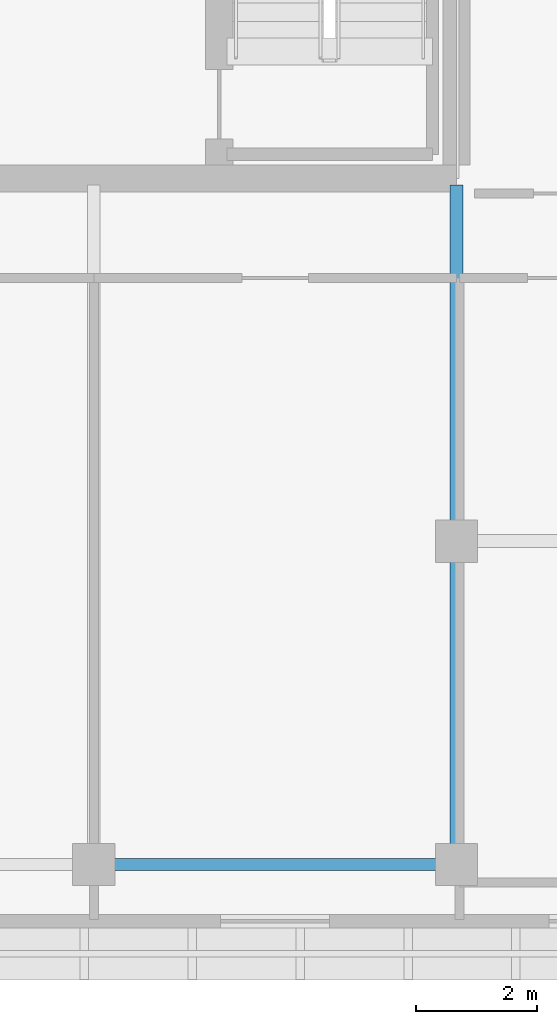
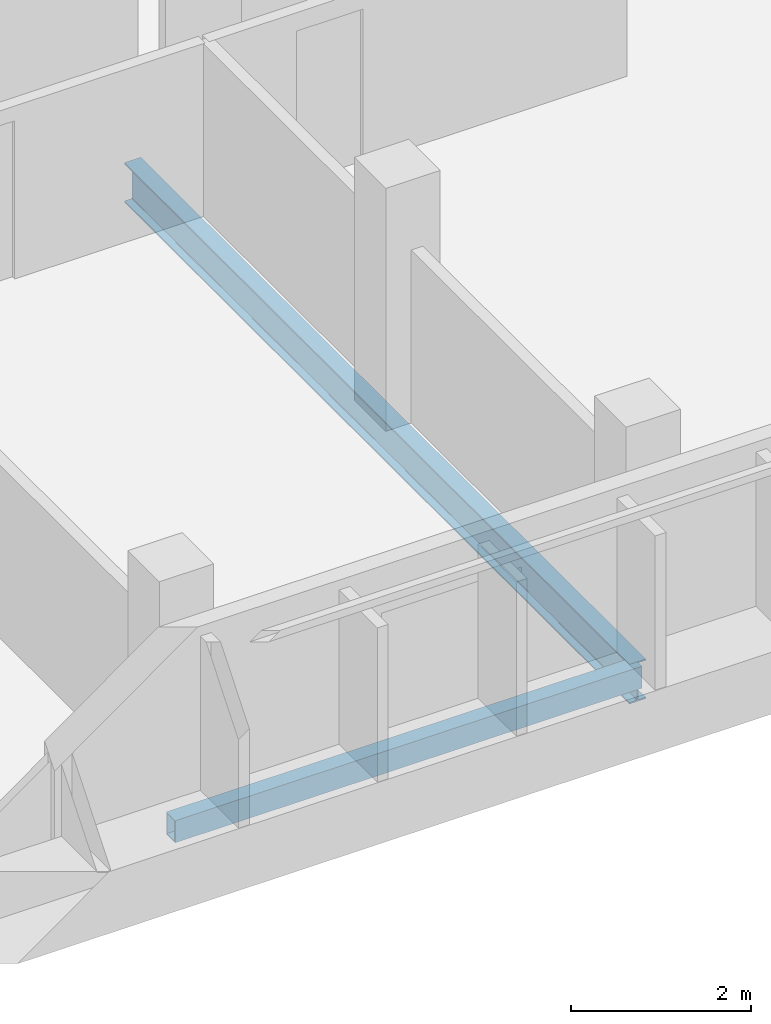
# One storey, part 15 of 28: 2 beams.
"""IFC4 building model written with IfcOpenShell, lengths in metres."""

from ifc_helpers import new_model, si_unit, direction, frame, origin, origin_2d, place, context, subcontext, project, spatial, hollow_rectangle, i_section, extrude, material, material_profile, profile_set, type_object, element, save


model = new_model("IFC4")

# Units and contexts
model_context = context("Model", 3, precision=1e-05, world=origin(), true_north=direction((0.0, 1.0)))
body_context = subcontext(model_context, "Body", "Model", "MODEL_VIEW")
ifc_project = project(units=[si_unit("LENGTHUNIT", "METRE"), si_unit("AREAUNIT", "SQUARE_METRE"), si_unit("VOLUMEUNIT", "CUBIC_METRE"), si_unit("PLANEANGLEUNIT", "RADIAN"), si_unit("MASSUNIT", "GRAM", prefix="KILO")], contexts=[model_context])

# Site, building, storey
site_placement = place(None, origin())
site = spatial("IfcSite", under=ifc_project, at=site_placement, CompositionType="ELEMENT")
building_placement = place(site_placement, origin())
building = spatial("IfcBuilding", under=site, at=building_placement, Name="Tanjung Sevakor Pilgrim Tower", CompositionType="ELEMENT")
storey_placement = place(building_placement, frame((0.0, 0.0, 239.25)))
storey = spatial("IfcBuildingStorey", under=building, at=storey_placement, Name="L67", CompositionType="ELEMENT", Elevation=239.25)

# Beams
ifc_material_1 = material(Name="Steel S355J2", Category="steel")
ifc_material_profile_1 = material_profile(ifc_material_1, i_section(OverallWidth=0.210693359375, OverallDepth=0.53955078125, WebThickness=0.01171875, FlangeThickness=0.018798828125, FilletRadius=0.0126953125, at=origin_2d()))
ifc_profile_set_1 = profile_set([ifc_material_profile_1], Name="Steel S355J2")
beam_type_1 = type_object("IfcBeamType", Name="BM-B-G6-UB_533x210x109", PredefinedType="BEAM", material=ifc_profile_set_1)
beam_1_placement = place(storey_placement, frame((90.0, 13.25, -0.48974609375), z_axis=(0.0, 1.0, 0.0), x_axis=(-1.0, 0.0, 0.0)))
element("IfcBeam", 1, at=beam_1_placement, inside=storey, type_object=beam_type_1, Name="L67 EAST Girder 009", PredefinedType="BEAM", context=body_context, shape_type="SweptSolid", body=[
    extrude(i_section(OverallWidth=0.210693359375, OverallDepth=0.53955078125, WebThickness=0.01171875, FlangeThickness=0.018798828125, FilletRadius=0.0126953125, at=origin_2d()), origin(), (0.0, 0.0, 1.0), 11.243896484375),
])
ifc_material_2 = material(Name="Steel S355J2", Category="steel")
ifc_material_profile_2 = material_profile(ifc_material_2, hollow_rectangle(XDim=0.199951171875, YDim=0.300048828125, WallThickness=0.012451171875, at=origin_2d()))
ifc_profile_set_2 = profile_set([ifc_material_profile_2], Name="Steel S355J2")
beam_type_2 = type_object("IfcBeamType", Name="BM-B-SP3-RHS_300x200x12.5", PredefinedType="SPANDREL", material=ifc_profile_set_2)
beam_2_placement = place(storey_placement, frame((84.0, 13.25, -0.3701171875), z_axis=(1.0, 0.0, 0.0), x_axis=(0.0, 1.0, 0.0)))
element("IfcBeam", 2, at=beam_2_placement, inside=storey, type_object=beam_type_2, Name="L67 Spandrel EAST S-05", PredefinedType="SPANDREL", context=body_context, shape_type="SweptSolid", body=[
    extrude(hollow_rectangle(XDim=0.199951171875, YDim=0.300048828125, WallThickness=0.012451171875, at=origin_2d()), origin(), (0.0, 0.0, 1.0), 6.0),
])

save(model, "model.ifc")
